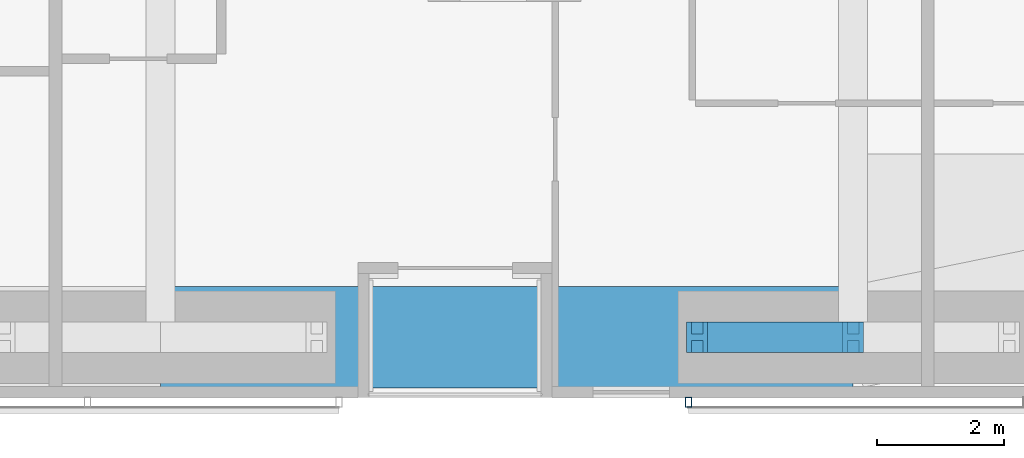
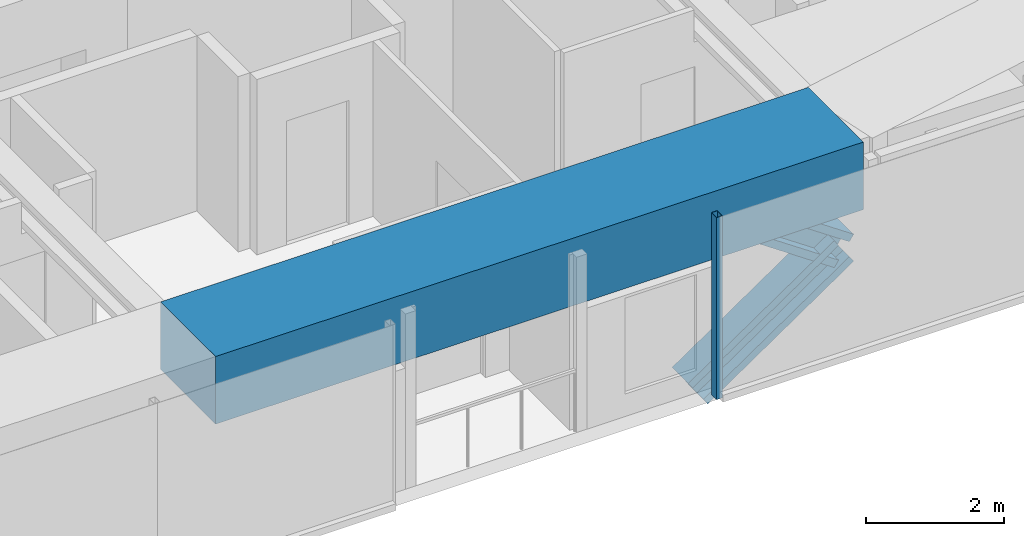
# One storey, part 5 of 23: 3 members, 1 beam, 1 element without a shape of its own.
"""IFC4 building model written with IfcOpenShell, lengths in metres."""

import ifcopenshell
import ifcopenshell.guid

model = None  # the IFC model being written
_history = None  # IfcOwnerHistory: only IFC2X3 demands one
_inside = {}  # id of a spatial element -> (the spatial element, [elements in it])
_under = {}  # id of a project, library or spatial element -> (it, [spatial elements below it])
_declared = {}  # id of a project -> (the project, [libraries it declares])
_typed = {}  # id of a type object -> (the type object, [elements of that type])
_made_of = {}  # id of a material, layer set ... -> (it, [elements and type objects made of it])


def new_model(schema):
    """Start an empty IFC model of exactly this schema.

    Asked for "IFC4X3", IfcOpenShell would pick the latest addendum, in which some entities
    have other attributes; the version numbers below select the first issue.
    IFC2X3 requires an IfcOwnerHistory on every rooted entity: one is made here for all.
    """
    global model, _history
    if schema == "IFC4X3":
        model = ifcopenshell.file(schema_version=(4, 3, 0, 0))
    else:
        model = ifcopenshell.file(schema=schema)
    _inside.clear()
    _under.clear()
    _declared.clear()
    _typed.clear()
    _made_of.clear()
    _history = None
    if model.schema == "IFC2X3":
        org = make("IfcOrganization", Name="unknown")
        user = make(
            "IfcPersonAndOrganization",
            ThePerson=make("IfcPerson", FamilyName="unknown"),
            TheOrganization=org,
        )
        app = make(
            "IfcApplication",
            ApplicationDeveloper=org,
            Version="unknown",
            ApplicationFullName="unknown",
            ApplicationIdentifier="unknown",
        )
        _history = make(
            "IfcOwnerHistory",
            OwningUser=user,
            OwningApplication=app,
            ChangeAction="ADDED",
            CreationDate=0,
        )
    return model


def make(cls, **values):
    """One entity of the class cls with the attributes given. An attribute that is None is left unset."""
    return model.create_entity(
        cls, **{name: value for name, value in values.items() if value is not None}
    )


def rooted(cls, **values):
    """An entity with a GlobalId (a new one), such as an element, a storey or a relation."""
    return make(cls, GlobalId=ifcopenshell.guid.new(), OwnerHistory=_history, **values)


def si_unit(unit_type, name, prefix=None):
    """IfcSIUnit, for example si_unit("LENGTHUNIT", "METRE", prefix="MILLI")."""
    return make("IfcSIUnit", UnitType=unit_type, Prefix=prefix, Name=name)


def assignment(units):
    """IfcUnitAssignment: the units of a project."""
    return None if units is None else make("IfcUnitAssignment", Units=units)


def point(xyz):
    """IfcCartesianPoint."""
    return None if xyz is None else make("IfcCartesianPoint", Coordinates=xyz)


def direction(xyz):
    """IfcDirection."""
    return None if xyz is None else make("IfcDirection", DirectionRatios=xyz)


def frame(location, z_axis=None, x_axis=None):
    """IfcAxis2Placement3D, a coordinate frame: its origin and axes. An axis left out is left unset."""
    return make(
        "IfcAxis2Placement3D",
        Location=point(location),
        Axis=direction(z_axis),
        RefDirection=direction(x_axis),
    )


def frame_2d(location, x_axis=None):
    """IfcAxis2Placement2D, a coordinate frame in the plane: its origin and x axis."""
    return make(
        "IfcAxis2Placement2D", Location=point(location), RefDirection=direction(x_axis)
    )


def origin():
    """The frame at (0, 0, 0) with its axes left unset."""
    return frame((0.0, 0.0, 0.0))


def origin_2d():
    """The frame at (0, 0) in the plane with its x axis left unset."""
    return frame_2d((0.0, 0.0))


def place(relative_to, where):
    """IfcLocalPlacement: puts the frame where relative to a parent placement (None: the world)."""
    return make(
        "IfcLocalPlacement", PlacementRelTo=relative_to, RelativePlacement=where
    )


def context(
    kind, dimensions, precision=None, world=None, true_north=None, identifier=None
):
    """IfcGeometricRepresentationContext, for example the 3D "Model" context."""
    return make(
        "IfcGeometricRepresentationContext",
        ContextIdentifier=identifier,
        ContextType=kind,
        CoordinateSpaceDimension=dimensions,
        Precision=precision,
        WorldCoordinateSystem=world,
        TrueNorth=true_north,
    )


def subcontext(parent, identifier, kind, view, scale=None):
    """IfcGeometricRepresentationSubContext, for example "Body" below "Model"."""
    return make(
        "IfcGeometricRepresentationSubContext",
        ContextIdentifier=identifier,
        ContextType=kind,
        ParentContext=parent,
        TargetScale=scale,
        TargetView=view,
    )


def project(units=None, contexts=None):
    """IfcProject with its units and contexts."""
    return rooted(
        "IfcProject",
        Name="project",
        RepresentationContexts=contexts,
        UnitsInContext=assignment(units),
    )


def spatial(cls, under=None, at=None, **own):
    """A site, building, storey or space (cls), placed at a placement, below another one or the project."""
    s = rooted(cls, ObjectPlacement=at, **own)
    if under is not None:
        _under.setdefault(under.id(), (under, []))[1].append(s)
    return s


def profile(cls, at=None, kind="AREA", **sizes):
    """A parametric profile (cls). Its sizes go by their IFC names, for example OverallWidth=200.0."""
    return make(cls, ProfileType=kind, Position=at, **sizes)


def rectangle(**sizes):
    """IfcRectangleProfileDef."""
    return profile("IfcRectangleProfileDef", **sizes)


def hollow_rectangle(**sizes):
    """IfcRectangleHollowProfileDef."""
    return profile("IfcRectangleHollowProfileDef", **sizes)


def i_section(**sizes):
    """IfcIShapeProfileDef."""
    return profile("IfcIShapeProfileDef", **sizes)


def extrude(swept, where, along, depth):
    """IfcExtrudedAreaSolid: the profile swept, set in the frame where, extruded along a direction by depth."""
    return make(
        "IfcExtrudedAreaSolid",
        SweptArea=swept,
        Position=where,
        ExtrudedDirection=direction(along),
        Depth=depth,
    )


def shape(context_of_items, identifier, shape_type, items):
    """IfcShapeRepresentation: the items that make up one representation, for example the "Body"."""
    return make(
        "IfcShapeRepresentation",
        ContextOfItems=context_of_items,
        RepresentationIdentifier=identifier,
        RepresentationType=shape_type,
        Items=items,
    )


def material(Name=None, Category=None):
    """IfcMaterial."""
    return make("IfcMaterial", Name=Name, Category=Category)


def material_profile(
    of_material, cross_section, Name=None, Category=None, Priority=None
):
    """IfcMaterialProfile: a cross section and its material."""
    return make(
        "IfcMaterialProfile",
        Name=Name,
        Material=of_material,
        Profile=cross_section,
        Priority=Priority,
        Category=Category,
    )


def profile_set(profiles, Name=None, composite=None):
    """IfcMaterialProfileSet."""
    return make(
        "IfcMaterialProfileSet",
        Name=Name,
        MaterialProfiles=profiles,
        CompositeProfile=composite,
    )


def made_of(thing, what):
    """Note that an element or type object is made of a material, layer set ...; save() writes the relation."""
    if what is not None:
        _made_of.setdefault(what.id(), (what, []))[1].append(thing)
    return thing


def type_object(cls, material=None, **own):
    """A type object (cls), such as IfcWallType, which elements share."""
    return made_of(rooted(cls, **own), material)


def element(
    cls,
    number,
    at=None,
    inside=None,
    cuts=None,
    type_object=None,
    material=None,
    context=None,
    identifier="Body",
    shape_type=None,
    held_by="IfcProductDefinitionShape",
    body=None,
    shapes=None,
    **own,
):
    """One element of the class cls, such as IfcWall. Its Tag is "e" and its number.

    at: its placement. inside: the storey or other place that contains it. cuts: it is an
    opening in that element (IfcRelVoidsElement). A single representation is given by context,
    identifier, shape_type and body (its items); several are given by shapes. held_by: the class
    of the entity that holds the representations. save() writes the other relations.
    """
    e = rooted(cls, Tag="e%d" % number, ObjectPlacement=at, **own)
    if body is not None:
        shapes = [shape(context, identifier, shape_type, body)]
    if shapes is not None:
        e.Representation = make(held_by, Representations=shapes)
    if inside is not None:
        _inside.setdefault(inside.id(), (inside, []))[1].append(e)
    if cuts is not None:
        rooted(
            "IfcRelVoidsElement", RelatingBuildingElement=cuts, RelatedOpeningElement=e
        )
    if type_object is not None:
        _typed.setdefault(type_object.id(), (type_object, []))[1].append(e)
    return made_of(e, material)


def aggregate(whole, parts):
    """IfcRelAggregates: a whole, such as a stair, and the parts it consists of."""
    return rooted("IfcRelAggregates", RelatingObject=whole, RelatedObjects=parts)


def save(model, path):
    """Write the relations noted so far, then the file.

    IfcRelAggregates (storeys below a building ...), IfcRelContainedInSpatialStructure (elements
    in a storey), IfcRelDefinesByType, IfcRelAssociatesMaterial and IfcRelDeclares: one each for
    every whole, place, type object, material and project.
    """
    for whole, parts in _under.values():
        aggregate(whole, parts)
    for where, things in _inside.values():
        rooted(
            "IfcRelContainedInSpatialStructure",
            RelatedElements=things,
            RelatingStructure=where,
        )
    for kind, things in _typed.values():
        rooted("IfcRelDefinesByType", RelatedObjects=things, RelatingType=kind)
    for what, things in _made_of.values():
        rooted("IfcRelAssociatesMaterial", RelatedObjects=things, RelatingMaterial=what)
    for by, libraries in _declared.values():
        rooted("IfcRelDeclares", RelatingContext=by, RelatedDefinitions=libraries)
    model.write(path)


model = new_model("IFC4")

# Units and contexts
model_context = context("Model", 3, precision=1e-05, world=origin(), true_north=direction((0.0, 1.0)))
body_context = subcontext(model_context, "Body", "Model", "MODEL_VIEW")
ifc_project = project(units=[si_unit("LENGTHUNIT", "METRE"), si_unit("AREAUNIT", "SQUARE_METRE"), si_unit("VOLUMEUNIT", "CUBIC_METRE"), si_unit("PLANEANGLEUNIT", "RADIAN"), si_unit("MASSUNIT", "GRAM", prefix="KILO")], contexts=[model_context])

# Site, building, storey
site_placement = place(None, origin())
site = spatial("IfcSite", under=ifc_project, at=site_placement, CompositionType="ELEMENT")
building_placement = place(site_placement, origin())
building = spatial("IfcBuilding", under=site, at=building_placement, Name="Jalousie Tower", CompositionType="ELEMENT")
storey_placement = place(building_placement, frame((0.0, 0.0, 104.85009765625)))
storey = spatial("IfcBuildingStorey", under=building, at=storey_placement, Name="L28", CompositionType="ELEMENT", Elevation=104.85009765625)

# Members
ifc_material_1 = material(Name="Steel ASTM A992 Grade 50", Category="steel")
ifc_material_profile_1 = material_profile(ifc_material_1, i_section(OverallWidth=0.472412109375, OverallDepth=0.5791015625, WebThickness=0.094970703125, FlangeThickness=0.1298828125, at=origin_2d()), Name="W14X808")
ifc_profile_set_1 = profile_set([ifc_material_profile_1], Name="Steel ASTM A992 Grade 50")
member_type_1 = type_object("IfcMemberType", Name="PERIMETER BRACE W14X808", PredefinedType="BRACE", material=ifc_profile_set_1)
for number, where, z_axis, x_axis, name in (
    (1, (36.175048828125, 0.949951171875, -0.60009765625), (0.825500916831, 0.0, 0.564400776321), (0.0, 1.0, 0.0), "Perimeter brace 04 L28 part 1"),
    (2, (38.625, 0.949951171875, 1.074951171875), (-0.825500916831, 0.0, 0.564400776321), (0.0, -1.0, 0.0), "Perimeter brace 04 L28 part 4"),
):
    element("IfcMember", number, at=place(storey_placement, frame(where, z_axis=z_axis, x_axis=x_axis)), inside=storey, type_object=member_type_1, Name=name, PredefinedType="BRACE", context=body_context, shape_type="SweptSolid", body=[
        extrude(i_section(OverallWidth=0.472412109375, OverallDepth=0.5791015625, WebThickness=0.094970703125, FlangeThickness=0.1298828125, at=origin_2d()), origin(), (0.0, 0.0, 1.0), 2.9677734375),
    ])

# Beam
ifc_material_2 = material(Name="Concrete f'c 40 MPa", Category="concrete")
ifc_material_profile_2 = material_profile(ifc_material_2, rectangle(XDim=1.60009765625, YDim=1.199951171875, at=origin_2d()), Name="RC 1600x1200")
ifc_profile_set_2 = profile_set([ifc_material_profile_2], Name="Concrete f'c 40 MPa")
beam_type = type_object("IfcBeamType", Name="RC BEAM 1600x1200", PredefinedType="BEAM", material=ifc_profile_set_2)
beam_placement = place(storey_placement, frame((27.75, 0.949951171875, 2.75), z_axis=(1.0, 0.0, 0.0), x_axis=(0.0, 1.0, 0.0)))
element("IfcBeam", 3, at=beam_placement, inside=storey, type_object=beam_type, Name="Edge band beam 03-04 under L29", PredefinedType="BEAM", context=body_context, shape_type="SweptSolid", body=[
    extrude(rectangle(XDim=1.60009765625, YDim=1.199951171875, at=origin_2d()), origin(), (0.0, 0.0, 1.0), 10.875),
])

# Curtain wall, member
ifc_material_3 = material(Name="Perforated aluminium sheet", Category="aluminium")
curtain_wall_type = type_object("IfcCurtainWallType", Name="SOLAR SCREEN SS-1", PredefinedType="USERDEFINED", material=ifc_material_3)
curtain_wall_placement = place(storey_placement, origin())
curtain_wall = element("IfcCurtainWall", 4, at=curtain_wall_placement, inside=storey, type_object=curtain_wall_type, Name="Solar screen L28", ObjectType="SOLAR SCREEN SS-1", PredefinedType="USERDEFINED")
ifc_material_4 = material(Name="Steel ASTM A500 Grade C", Category="steel")
ifc_material_profile_3 = material_profile(ifc_material_4, hollow_rectangle(XDim=0.1015625, YDim=0.15234375, WallThickness=0.00634765625, at=origin_2d()), Name="HSS6X4X1/4")
ifc_profile_set_3 = profile_set([ifc_material_profile_3], Name="Steel ASTM A500 Grade C")
member_type_2 = type_object("IfcMemberType", Name="SOLAR SCREEN SS-1 MULLION", PredefinedType="MULLION", material=ifc_profile_set_3)
member_placement = place(storey_placement, frame((36.0400390625, -0.0712890625, -0.1201171875), z_axis=(0.0, 0.0, 1.0), x_axis=(1.0, 0.0, 0.0)))
member = element("IfcMember", 5, at=member_placement, type_object=member_type_2, Name="SS1 post 1", PredefinedType="MULLION", context=body_context, shape_type="SweptSolid", body=[
    extrude(hollow_rectangle(XDim=0.1015625, YDim=0.15234375, WallThickness=0.00634765625, at=origin_2d()), origin(), (0.0, 0.0, 1.0), 3.22998046875),
])
aggregate(curtain_wall, [member])

save(model, "model.ifc")
